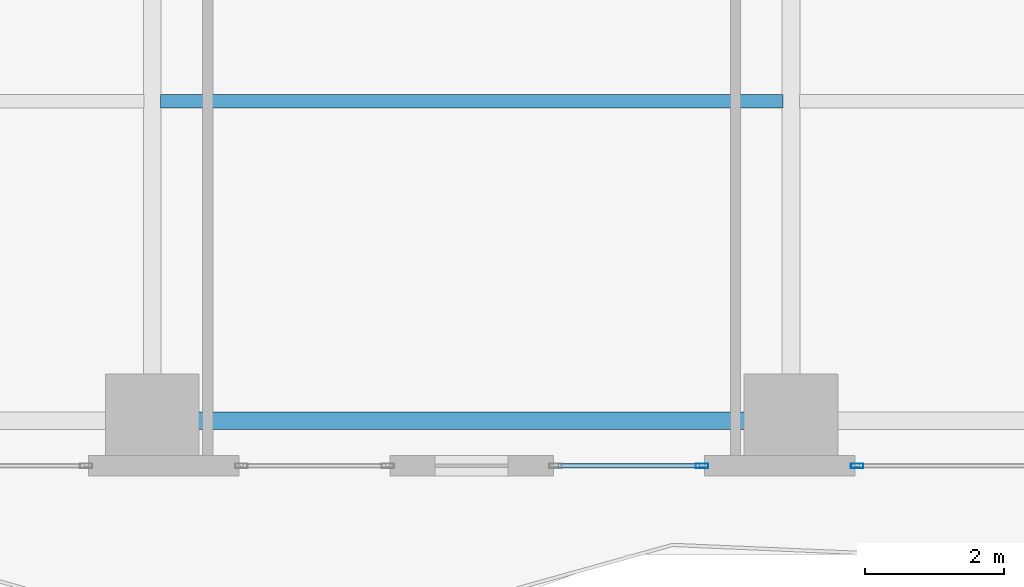
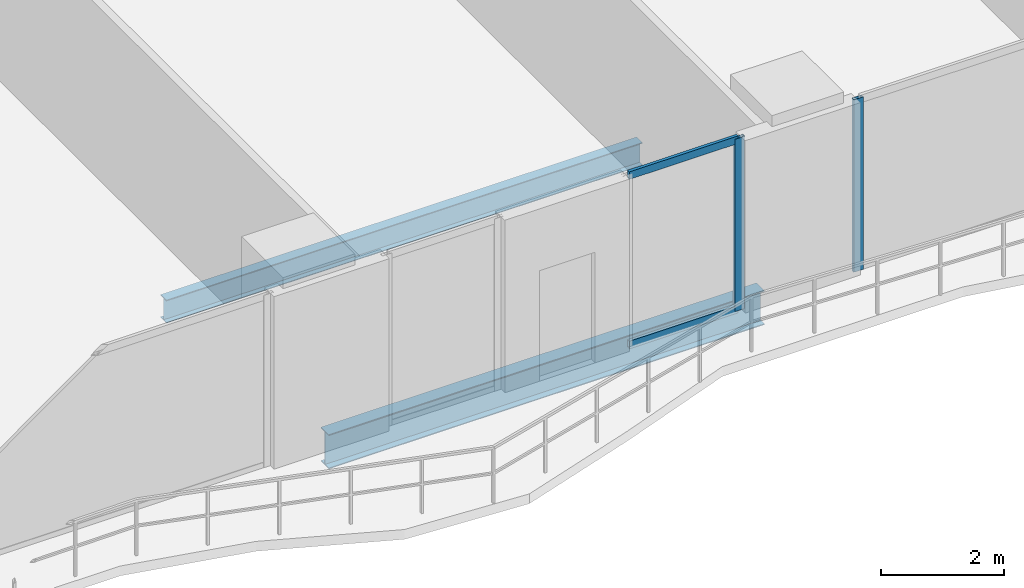
# One storey, part 5 of 27: 4 members, 2 beams, 2 elements without a shape of their own.
"""IFC4 building model written with IfcOpenShell, lengths in metres."""

from ifc_helpers import new_model, si_unit, direction, frame, origin, origin_2d, place, context, subcontext, project, spatial, hollow_rectangle, i_section, extrude, material, layer, layer_set, material_profile, profile_set, type_object, element, aggregate, save


model = new_model("IFC4")

# Units and contexts
model_context = context("Model", 3, precision=1e-05, world=origin(), true_north=direction((0.0, 1.0)))
body_context = subcontext(model_context, "Body", "Model", "MODEL_VIEW")
ifc_project = project(units=[si_unit("LENGTHUNIT", "METRE"), si_unit("AREAUNIT", "SQUARE_METRE"), si_unit("VOLUMEUNIT", "CUBIC_METRE"), si_unit("PLANEANGLEUNIT", "RADIAN"), si_unit("MASSUNIT", "GRAM", prefix="KILO")], contexts=[model_context])

# Site, building, storey
site_placement = place(None, origin())
site = spatial("IfcSite", under=ifc_project, at=site_placement, CompositionType="ELEMENT")
building_placement = place(site_placement, origin())
building = spatial("IfcBuilding", under=site, at=building_placement, Name="Zuhayl Quay Hotel", CompositionType="ELEMENT")
storey_placement = place(building_placement, frame((0.0, 0.0, 102.949951171875)))
storey = spatial("IfcBuildingStorey", under=building, at=storey_placement, Name="L25", CompositionType="ELEMENT", Elevation=102.949951171875)

# Beams
ifc_material_1 = material(Name="Steel ASTM A992 Grade 50", Category="steel")
ifc_material_profile_1 = material_profile(ifc_material_1, i_section(OverallWidth=0.25390625, OverallDepth=0.68310546875, WebThickness=0.012451171875, FlangeThickness=0.018798828125, at=origin_2d()), Name="W27X94")
ifc_profile_set_1 = profile_set([ifc_material_profile_1], Name="Steel ASTM A992 Grade 50")
beam_type_1 = type_object("IfcBeamType", Name="BM_B2_W27X94", PredefinedType="BEAM", material=ifc_profile_set_1)
beam_1_placement = place(storey_placement, frame((-4.10009765625, -14.75, -0.5615234375), z_axis=(1.0, 0.0, 0.0), x_axis=(0.0, 1.0, 0.0)))
element("IfcBeam", 1, at=beam_1_placement, inside=storey, type_object=beam_type_1, Name="L25 Floor Beam RG_L25_02", PredefinedType="BEAM", context=body_context, shape_type="SweptSolid", body=[
    extrude(i_section(OverallWidth=0.25390625, OverallDepth=0.68310546875, WebThickness=0.012451171875, FlangeThickness=0.018798828125, at=origin_2d()), origin(), (0.0, 0.0, 1.0), 8.2001953125),
])
ifc_material_profile_2 = material_profile(ifc_material_1, i_section(OverallWidth=0.18994140625, OverallDepth=0.45703125, WebThickness=0.009033203125, FlangeThickness=0.014404296875, at=origin_2d()), Name="W18X50")
ifc_profile_set_2 = profile_set([ifc_material_profile_2], Name="Steel ASTM A992 Grade 50")
beam_type_2 = type_object("IfcBeamType", Name="BM_J2_W18X50", PredefinedType="JOIST", material=ifc_profile_set_2)
beam_2_placement = place(storey_placement, frame((-4.48095703125, -10.14990234375, -0.448486328125), z_axis=(1.0, 0.0, 0.0), x_axis=(0.0, 1.0, 0.0)))
element("IfcBeam", 2, at=beam_2_placement, inside=storey, type_object=beam_type_2, Name="L25 Floor Beam FJ_L25_5_2", PredefinedType="JOIST", context=body_context, shape_type="SweptSolid", body=[
    extrude(i_section(OverallWidth=0.18994140625, OverallDepth=0.45703125, WebThickness=0.009033203125, FlangeThickness=0.014404296875, at=origin_2d()), origin(), (0.0, 0.0, 1.0), 8.9619140625),
])

# Curtain wall, member
ifc_material_2 = material(Name="Anodised Aluminium 6063-T6", Category="aluminium")
ifc_layer = layer(ifc_material_2, 0.179931640625, Name="Anodised Aluminium 6063-T6", Category="aluminium")
ifc_layer_set = layer_set([ifc_layer], Name="Anodised Aluminium 6063-T6")
curtain_wall_type = type_object("IfcCurtainWallType", Name="CW_SYS_Z2", PredefinedType="USERDEFINED", material=ifc_layer_set)
curtain_wall_1_placement = place(storey_placement, origin())
curtain_wall_1 = element("IfcCurtainWall", 3, at=curtain_wall_1_placement, inside=storey, type_object=curtain_wall_type, Name="L25 Curtain Wall ENV_L25_S_CW2", ObjectType="UNITISED CURTAIN WALL", PredefinedType="USERDEFINED")
ifc_material_3 = material(Name="Black-anodised aluminium 6063-T6", Category="aluminium")
ifc_material_profile_3 = material_profile(ifc_material_3, hollow_rectangle(XDim=0.06494140625, YDim=0.179931640625, WallThickness=0.00341796875, at=origin_2d()), Name="ALU180X65")
ifc_profile_set_3 = profile_set([ifc_material_profile_3], Name="Black-anodised aluminium 6063-T6")
member_type_1 = type_object("IfcMemberType", Name="MB_CW_MUL_180", PredefinedType="MULLION", material=ifc_profile_set_3)
member_1_placement = place(storey_placement, frame((5.552490234375, -15.39990234375, 0.0), z_axis=(0.0, 0.0, 1.0), x_axis=(0.0, -1.0, 0.0)))
member_1 = element("IfcMember", 4, at=member_1_placement, type_object=member_type_1, Name="CW-Z2 mullion 2", PredefinedType="MULLION", context=body_context, shape_type="SweptSolid", body=[
    extrude(hollow_rectangle(XDim=0.06494140625, YDim=0.179931640625, WallThickness=0.00341796875, at=origin_2d()), origin(), (0.0, 0.0, 1.0), 3.429931640625),
])
aggregate(curtain_wall_1, [member_1])

# Curtain wall, members
curtain_wall_2_placement = place(storey_placement, origin())
curtain_wall_2 = element("IfcCurtainWall", 5, at=curtain_wall_2_placement, inside=storey, type_object=curtain_wall_type, Name="L25 Curtain Wall ENV_L25_S_CW3", ObjectType="UNITISED CURTAIN WALL", PredefinedType="USERDEFINED")
member_2_placement = place(storey_placement, frame((3.3173828125, -15.39990234375, 0.0), z_axis=(0.0, 0.0, 1.0), x_axis=(0.0, -1.0, 0.0)))
member_2 = element("IfcMember", 6, at=member_2_placement, type_object=member_type_1, Name="CW-Z2 mullion 1", PredefinedType="MULLION", context=body_context, shape_type="SweptSolid", body=[
    extrude(hollow_rectangle(XDim=0.06494140625, YDim=0.179931640625, WallThickness=0.00341796875, at=origin_2d()), origin(), (0.0, 0.0, 1.0), 3.429931640625),
])
ifc_material_profile_4 = material_profile(ifc_material_3, hollow_rectangle(XDim=0.06005859375, YDim=0.14990234375, WallThickness=0.00341796875, at=origin_2d()), Name="ALU150X60")
ifc_profile_set_4 = profile_set([ifc_material_profile_4], Name="Black-anodised aluminium 6063-T6")
member_type_2 = type_object("IfcMemberType", Name="MB_CW_TRN_150", PredefinedType="USERDEFINED", material=ifc_profile_set_4)
member_3_placement = place(storey_placement, frame((3.284912109375, -15.39990234375, 0.030029296875), z_axis=(-1.0, 0.0, 0.0), x_axis=(0.0, -1.0, 0.0)))
member_3 = element("IfcMember", 7, at=member_3_placement, type_object=member_type_2, Name="CW-Z2 transom 1.1", ObjectType="TRANSOM", PredefinedType="USERDEFINED", context=body_context, shape_type="SweptSolid", body=[
    extrude(hollow_rectangle(XDim=0.06005859375, YDim=0.14990234375, WallThickness=0.00341796875, at=origin_2d()), origin(), (0.0, 0.0, 1.0), 2.044921875),
])
member_4_placement = place(storey_placement, frame((3.284912109375, -15.39990234375, 3.400146484375), z_axis=(-1.0, 0.0, 0.0), x_axis=(0.0, -1.0, 0.0)))
member_4 = element("IfcMember", 8, at=member_4_placement, type_object=member_type_2, Name="CW-Z2 transom 1.2", ObjectType="TRANSOM", PredefinedType="USERDEFINED", context=body_context, shape_type="SweptSolid", body=[
    extrude(hollow_rectangle(XDim=0.06005859375, YDim=0.14990234375, WallThickness=0.00341796875, at=origin_2d()), origin(), (0.0, 0.0, 1.0), 2.044921875),
])
aggregate(curtain_wall_2, [member_2, member_3, member_4])

save(model, "model.ifc")
